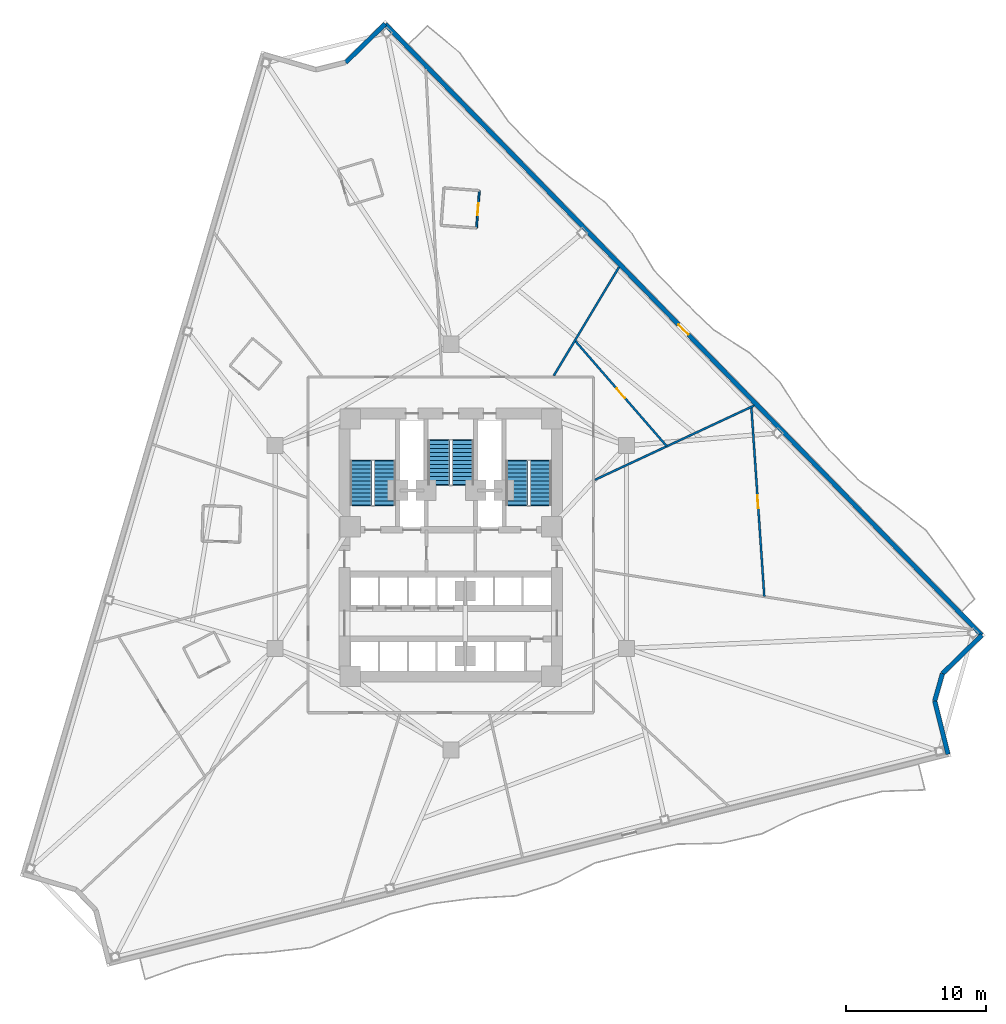
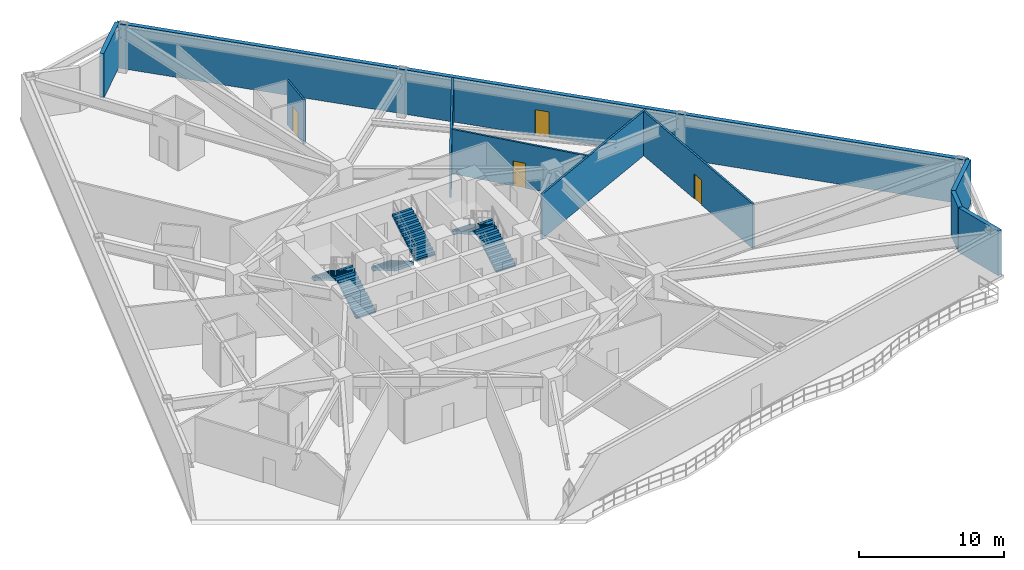
# One storey, part 6 of 9: 10 walls, 6 stair flights, 4 doors, 4 openings, 3 elements without a shape of their own.
"""IFC4 building model written with IfcOpenShell, lengths in metres."""

from ifc_helpers import new_model, si_unit, direction, frame, frame_2d, origin, place, context, subcontext, project, spatial, polyline, rectangle, outline, extrude, material, layer, layer_set, type_object, element, fill, aggregate, save


model = new_model("IFC4")

# Units and contexts
model_context = context("Model", 3, precision=1e-05, world=origin(), true_north=direction((0.0, 1.0)))
body_context = subcontext(model_context, "Body", "Model", "MODEL_VIEW")
ifc_project = project(units=[si_unit("LENGTHUNIT", "METRE"), si_unit("AREAUNIT", "SQUARE_METRE"), si_unit("VOLUMEUNIT", "CUBIC_METRE"), si_unit("PLANEANGLEUNIT", "RADIAN"), si_unit("MASSUNIT", "GRAM", prefix="KILO")], contexts=[model_context])

# Site, building, storey
site_placement = place(None, origin())
site = spatial("IfcSite", under=ifc_project, at=site_placement, CompositionType="ELEMENT")
building_placement = place(site_placement, origin())
building = spatial("IfcBuilding", under=site, at=building_placement, Name="Apsidion Concourse Tower", CompositionType="ELEMENT")
storey_placement = place(building_placement, frame((0.0, 0.0, 111.0)))
storey = spatial("IfcBuildingStorey", under=building, at=storey_placement, Name="L25", CompositionType="ELEMENT", Elevation=111.0)

# Wall, opening, door
ifc_material_1 = material(Name="Precast concrete C40/50", Category="concrete")
ifc_layer_1 = layer(ifc_material_1, 0.320068359375)
ifc_layer_set_1 = layer_set([ifc_layer_1], Name="Precast concrete C40/50")
wall_type_1 = type_object("IfcWallType", Name="WL-EXT-320", PredefinedType="STANDARD", material=ifc_layer_set_1)
wall_1_placement = place(storey_placement, frame((-4.6982421875, 37.40185546875, 0.0), z_axis=(0.0, 0.0, 1.0), x_axis=(0.698490621109, -0.715619208954, 0.0)))
wall_1 = element("IfcWall", 1, at=wall_1_placement, inside=storey, type_object=wall_type_1, Name="L25 Precast Stone Facade Wall 01", PredefinedType="STANDARD", context=body_context, shape_type="SweptSolid", body=[
    extrude(rectangle(XDim=61.075927734375, YDim=0.320068359375, at=frame_2d((30.5380859375, 0.0))), origin(), (0.0, 0.0, 1.0), 3.75),
])
opening_1_placement = place(wall_1_placement, frame((30.037841796875, 0.0, 0.0)))
opening_1 = element("IfcOpeningElement", 2, at=opening_1_placement, cuts=wall_1, Name="Opening D-T1L", PredefinedType="OPENING", context=body_context, shape_type="SweptSolid", body=[
    extrude(rectangle(XDim=1.0, YDim=2.14990234375, at=frame_2d((0.5, 1.074951171875))), frame((0.0, 0.169921875, 0.0), z_axis=(0.0, -1.0, 0.0), x_axis=(1.0, 0.0, 0.0)), (0.0, 0.0, 1.0), 0.340087890625),
])
ifc_material_2 = material(Name="Anodised aluminium EN AW-6063 T6", Category="aluminium")
door_type_1 = type_object("IfcDoorType", Name="DR-TER-1022L", OperationType="SINGLE_SWING_LEFT", PredefinedType="DOOR", material=ifc_material_2)
door_1_placement = place(opening_1_placement, origin())
door_1 = element("IfcDoor", 3, at=door_1_placement, inside=storey, type_object=door_type_1, Name="L25 Balcony Access Door 2", OperationType="SINGLE_SWING_LEFT", OverallHeight=2.14990234375, OverallWidth=1.0, PredefinedType="DOOR", context=body_context, shape_type="SweptSolid", body=[
    extrude(rectangle(XDim=1.0, YDim=2.14990234375, at=frame_2d((0.5, 1.074951171875))), frame((0.0, 0.02490234375, 0.0), z_axis=(0.0, -1.0, 0.0), x_axis=(1.0, 0.0, 0.0)), (0.0, 0.0, 1.0), 0.050048828125),
])
fill(opening_1, door_1)

# Walls
wall_2_placement = place(storey_placement, frame((37.962646484375, -6.30517578125, 0.0), z_axis=(0.0, 0.0, 1.0), x_axis=(-0.71562223009, -0.698487525873, 0.0)))
element("IfcWall", 4, at=wall_2_placement, inside=storey, type_object=wall_type_1, Name="L25 Precast Stone Facade Wall 02", PredefinedType="STANDARD", context=body_context, shape_type="SweptSolid", body=[
    extrude(rectangle(XDim=3.9326171875, YDim=0.320068359375, at=frame_2d((1.96630859375, 0.0))), origin(), (0.0, 0.0, 1.0), 3.75),
])
wall_3_placement = place(storey_placement, frame((35.1484375, -9.052001953125, 0.0), z_axis=(0.0, 0.0, 1.0), x_axis=(-0.27306692697, -0.961995038134, 0.0)))
element("IfcWall", 5, at=wall_3_placement, inside=storey, type_object=wall_type_1, Name="L25 Precast Stone Facade Wall 03", PredefinedType="STANDARD", context=body_context, shape_type="SweptSolid", body=[
    extrude(rectangle(XDim=2.02783203125, YDim=0.320068359375, at=frame_2d((1.013916015625, 0.0))), origin(), (0.0, 0.0, 1.0), 3.75),
])
wall_4_placement = place(storey_placement, frame((34.5947265625, -11.002685546875, 0.0), z_axis=(0.0, 0.0, 1.0), x_axis=(0.241936662418, -0.970292044375, 0.0)))
element("IfcWall", 6, at=wall_4_placement, inside=storey, type_object=wall_type_1, Name="L25 Precast Stone Facade Wall 04", PredefinedType="STANDARD", context=body_context, shape_type="SweptSolid", body=[
    extrude(rectangle(XDim=3.9326171875, YDim=0.320068359375, at=frame_2d((1.96630859375, 0.0))), origin(), (0.0, 0.0, 1.0), 3.75),
])
wall_5_placement = place(storey_placement, frame((-7.51318359375, 34.654296875, 0.0), z_axis=(0.0, 0.0, 1.0), x_axis=(0.715620001602, 0.698489809022, 0.0)))
element("IfcWall", 7, at=wall_5_placement, inside=storey, type_object=wall_type_1, Name="L25 Precast Stone Facade Wall 12", PredefinedType="STANDARD", context=body_context, shape_type="SweptSolid", body=[
    extrude(rectangle(XDim=3.93359375, YDim=0.320068359375, at=frame_2d((1.966796875, 0.0))), origin(), (0.0, 0.0, 1.0), 3.75),
])

# Wall, opening, door
ifc_material_3 = material(Name="Gypsum plasterboard partition")
ifc_layer_2 = layer(ifc_material_3, 0.139892578125)
ifc_layer_set_2 = layer_set([ifc_layer_2], Name="Gypsum plasterboard partition")
wall_type_2 = type_object("IfcWallType", Name="WL-INT-PAR-140", PredefinedType="PARTITIONING", material=ifc_layer_set_2)
wall_6_placement = place(storey_placement, frame((1.834228515625, 22.806396484375, 0.0), z_axis=(0.0, 0.0, 1.0), x_axis=(0.076696498885, 0.997054485502, 0.0)))
wall_6 = element("IfcWall", 8, at=wall_6_placement, inside=storey, type_object=wall_type_2, Name="L25 Interior Partition WL-L25-POD-ENS07-S1", PredefinedType="PARTITIONING", context=body_context, shape_type="SweptSolid", body=[
    extrude(rectangle(XDim=2.689697265625, YDim=0.139892578125, at=frame_2d((1.3447265625, 0.0))), origin(), (0.0, 0.0, 1.0), 3.75),
])
opening_2_placement = place(wall_6_placement, frame((0.905029296875, 0.0, 0.0)))
opening_2 = element("IfcOpeningElement", 9, at=opening_2_placement, cuts=wall_6, Name="Opening D-03R", PredefinedType="OPENING", context=body_context, shape_type="SweptSolid", body=[
    extrude(rectangle(XDim=0.8798828125, YDim=2.10009765625, at=frame_2d((0.43994140625, 1.050048828125))), frame((0.0, 0.080078125, 0.0), z_axis=(0.0, -1.0, 0.0), x_axis=(1.0, 0.0, 0.0)), (0.0, 0.0, 1.0), 0.159912109375),
])
door_type_2 = type_object("IfcDoorType", Name="DR-INT-D03R", OperationType="SINGLE_SWING_RIGHT", PredefinedType="DOOR", material=ifc_material_2)
door_2_placement = place(opening_2_placement, origin())
door_2 = element("IfcDoor", 10, at=door_2_placement, inside=storey, type_object=door_type_2, Name="L25 Guest En-Suite Bathroom Door ENS07", OperationType="SINGLE_SWING_RIGHT", OverallHeight=2.10009765625, OverallWidth=0.8798828125, PredefinedType="DOOR", context=body_context, shape_type="SweptSolid", body=[
    extrude(rectangle(XDim=0.8798828125, YDim=2.10009765625, at=frame_2d((0.43994140625, 1.050048828125))), frame((0.0, 0.02490234375, 0.0), z_axis=(0.0, -1.0, 0.0), x_axis=(1.0, 0.0, 0.0)), (0.0, 0.0, 1.0), 0.050048828125),
])
fill(opening_2, door_2)

# Walls
ifc_layer_3 = layer(ifc_material_3, 0.14990234375)
ifc_layer_set_3 = layer_set([ifc_layer_3], Name="Gypsum plasterboard partition")
wall_type_3 = type_object("IfcWallType", Name="WL-INT-PAR-150", PredefinedType="PARTITIONING", material=ifc_layer_set_3)
wall_7_placement = place(storey_placement, frame((10.304931640625, 4.805419921875, 0.0), z_axis=(0.0, 0.0, 1.0), x_axis=(0.906312673918, 0.422607781631, 0.0)))
element("IfcWall", 11, at=wall_7_placement, inside=storey, type_object=wall_type_3, Name="L25 Interior Partition WL-L25-RAD-01-1", PredefinedType="PARTITIONING", context=body_context, shape_type="SweptSolid", body=[
    extrude(rectangle(XDim=12.563232421875, YDim=0.14990234375, at=frame_2d((6.28173828125, 0.0))), origin(), (0.0, 0.0, 1.0), 3.75),
])
wall_8_placement = place(storey_placement, frame((7.363525390625, 12.2548828125, 0.0), z_axis=(0.0, 0.0, 1.0), x_axis=(0.515030961147, 0.857171575042, 0.0)))
element("IfcWall", 12, at=wall_8_placement, inside=storey, type_object=wall_type_3, Name="L25 Interior Partition WL-L25-RAD-02-1", PredefinedType="PARTITIONING", context=body_context, shape_type="SweptSolid", body=[
    extrude(rectangle(XDim=9.054443359375, YDim=0.14990234375, at=frame_2d((4.52734375, 0.0))), origin(), (0.0, 0.0, 1.0), 3.75),
])

# Wall, opening, door
wall_9_placement = place(storey_placement, frame((22.41455078125, -3.52490234375, 0.0), z_axis=(0.0, 0.0, 1.0), x_axis=(-0.068270897284, 0.997666820429, 0.0)))
wall_9 = element("IfcWall", 13, at=wall_9_placement, inside=storey, type_object=wall_type_3, Name="L25 Interior Partition WL-L25-CHD-H8G05", PredefinedType="PARTITIONING", context=body_context, shape_type="SweptSolid", body=[
    extrude(rectangle(XDim=13.549560546875, YDim=0.14990234375, at=frame_2d((6.77490234375, 0.0))), origin(), (0.0, 0.0, 1.0), 3.75),
])
opening_3_placement = place(wall_9_placement, frame((6.32470703125, 0.0, 0.0)))
opening_3 = element("IfcOpeningElement", 14, at=opening_3_placement, cuts=wall_9, Name="Opening D-02R", PredefinedType="OPENING", context=body_context, shape_type="SweptSolid", body=[
    extrude(rectangle(XDim=0.89990234375, YDim=2.10009765625, at=frame_2d((0.449951171875, 1.050048828125))), frame((0.0, 0.0849609375, 0.0), z_axis=(0.0, -1.0, 0.0), x_axis=(1.0, 0.0, 0.0)), (0.0, 0.0, 1.0), 0.169921875),
])
door_type_3 = type_object("IfcDoorType", Name="DR-INT-D02R", OperationType="SINGLE_SWING_RIGHT", PredefinedType="DOOR", material=ifc_material_2)
door_3_placement = place(opening_3_placement, origin())
door_3 = element("IfcDoor", 15, at=door_3_placement, inside=storey, type_object=door_type_3, Name="L25 Suite Connecting Door H8G05", OperationType="SINGLE_SWING_RIGHT", OverallHeight=2.10009765625, OverallWidth=0.89990234375, PredefinedType="DOOR", context=body_context, shape_type="SweptSolid", body=[
    extrude(rectangle(XDim=0.89990234375, YDim=2.10009765625, at=frame_2d((0.449951171875, 1.050048828125))), frame((0.0, 0.02490234375, 0.0), z_axis=(0.0, -1.0, 0.0), x_axis=(1.0, 0.0, 0.0)), (0.0, 0.0, 1.0), 0.050048828125),
])
fill(opening_3, door_3)

wall_10_placement = place(storey_placement, frame((15.427734375, 7.2216796875, 0.0), z_axis=(0.0, 0.0, 1.0), x_axis=(-0.656028314667, 0.75473627868, 0.0)))
wall_10 = element("IfcWall", 16, at=wall_10_placement, inside=storey, type_object=wall_type_3, Name="L25 Interior Partition WL-L25-CHD-H8G06", PredefinedType="PARTITIONING", context=body_context, shape_type="SweptSolid", body=[
    extrude(rectangle(XDim=9.9677734375, YDim=0.14990234375, at=frame_2d((4.98388671875, 0.0))), origin(), (0.0, 0.0, 1.0), 3.75),
])
opening_4_placement = place(wall_10_placement, frame((4.533935546875, 0.0, 0.0)))
opening_4 = element("IfcOpeningElement", 17, at=opening_4_placement, cuts=wall_10, Name="Opening D-02L", PredefinedType="OPENING", context=body_context, shape_type="SweptSolid", body=[
    extrude(rectangle(XDim=0.89990234375, YDim=2.10009765625, at=frame_2d((0.449951171875, 1.050048828125))), frame((0.0, 0.0849609375, 0.0), z_axis=(0.0, -1.0, 0.0), x_axis=(1.0, 0.0, 0.0)), (0.0, 0.0, 1.0), 0.169921875),
])
door_type_4 = type_object("IfcDoorType", Name="DR-INT-D02L", OperationType="SINGLE_SWING_LEFT", PredefinedType="DOOR", material=ifc_material_2)
door_4_placement = place(opening_4_placement, origin())
door_4 = element("IfcDoor", 18, at=door_4_placement, inside=storey, type_object=door_type_4, Name="L25 Suite Connecting Door H8G06", OperationType="SINGLE_SWING_LEFT", OverallHeight=2.10009765625, OverallWidth=0.89990234375, PredefinedType="DOOR", context=body_context, shape_type="SweptSolid", body=[
    extrude(rectangle(XDim=0.89990234375, YDim=2.10009765625, at=frame_2d((0.449951171875, 1.050048828125))), frame((0.0, 0.02490234375, 0.0), z_axis=(0.0, -1.0, 0.0), x_axis=(1.0, 0.0, 0.0)), (0.0, 0.0, 1.0), 0.050048828125),
])
fill(opening_4, door_4)

# Stair, stair flights
stair_type = type_object("IfcStairType", Name="ST-DL-1550", PredefinedType="HALF_TURN_STAIR", material=ifc_material_1)
stair_1_placement = place(storey_placement, origin())
stair_1 = element("IfcStair", 19, at=stair_1_placement, inside=storey, type_object=stair_type, Name="L25 Protected Core Exit Stair ST1", PredefinedType="HALF_TURN_STAIR")
stair_flight_type = type_object("IfcStairFlightType", Name="SFL-RC-1550", PredefinedType="STRAIGHT", material=ifc_material_1)
stair_flight_1_placement = place(storey_placement, frame((-4.72509765625, 3.0, 0.0), z_axis=(0.0, 0.0, 1.0), x_axis=(0.0, 1.0, 0.0)))
stair_flight_1 = element("IfcStairFlight", 20, at=stair_flight_1_placement, type_object=stair_flight_type, Name="ST1 flight 1", NumberOfRisers=12, NumberOfTreads=11, PredefinedType="STRAIGHT", RiserHeight=0.166666667, TreadLength=0.285, context=body_context, shape_type="SweptSolid", body=[
    extrude(outline(polyline([(-0.080078125, -0.1123046875), (-0.080078125, 0.0), (0.0, 0.0), (0.0, 0.166748046875), (0.284912109375, 0.166748046875), (0.284912109375, 0.333251953125), (0.570068359375, 0.333251953125), (0.570068359375, 0.5), (0.85498046875, 0.5), (0.85498046875, 0.666748046875), (1.139892578125, 0.666748046875), (1.139892578125, 0.833251953125), (1.425048828125, 0.833251953125), (1.425048828125, 1.0), (1.7099609375, 1.0), (1.7099609375, 1.166748046875), (1.9951171875, 1.166748046875), (1.9951171875, 1.333251953125), (2.280029296875, 1.333251953125), (2.280029296875, 1.5), (2.56494140625, 1.5), (2.56494140625, 1.666748046875), (2.85009765625, 1.666748046875), (2.85009765625, 1.833251953125), (3.135009765625, 1.833251953125), (3.135009765625, 2.0), (3.215087890625, 1.916748046875), (3.215087890625, 1.65966796875), (3.135009765625, 1.65966796875), (0.296875, 0.0), (0.296875, -0.1123046875), (-0.080078125, -0.1123046875)])), frame((0.0, 0.77490234375, 0.0), z_axis=(0.0, -1.0, 0.0), x_axis=(1.0, 0.0, 0.0)), (0.0, 0.0, 1.0), 1.550048828125),
])
stair_flight_2_placement = place(storey_placement, frame((-6.425048828125, 6.135009765625, 2.0), z_axis=(0.0, 0.0, 1.0), x_axis=(0.0, -1.0, 0.0)))
stair_flight_2 = element("IfcStairFlight", 21, at=stair_flight_2_placement, type_object=stair_flight_type, Name="ST1 flight 2", NumberOfRisers=12, NumberOfTreads=11, PredefinedType="STRAIGHT", RiserHeight=0.166666667, TreadLength=0.285, context=body_context, shape_type="SweptSolid", body=[
    extrude(outline(polyline([(-0.080078125, -0.1123046875), (-0.080078125, 0.0), (0.0, 0.0), (0.0, 0.166748046875), (0.284912109375, 0.166748046875), (0.284912109375, 0.333251953125), (0.570068359375, 0.333251953125), (0.570068359375, 0.5), (0.85498046875, 0.5), (0.85498046875, 0.666748046875), (1.139892578125, 0.666748046875), (1.139892578125, 0.833251953125), (1.425048828125, 0.833251953125), (1.425048828125, 1.0), (1.7099609375, 1.0), (1.7099609375, 1.166748046875), (1.9951171875, 1.166748046875), (1.9951171875, 1.333251953125), (2.280029296875, 1.333251953125), (2.280029296875, 1.5), (2.56494140625, 1.5), (2.56494140625, 1.666748046875), (2.85009765625, 1.666748046875), (2.85009765625, 1.833251953125), (3.135009765625, 1.833251953125), (3.135009765625, 2.0), (3.215087890625, 1.916748046875), (3.215087890625, 1.65966796875), (3.135009765625, 1.65966796875), (0.296875, 0.0), (0.296875, -0.1123046875), (-0.080078125, -0.1123046875)])), frame((0.0, 0.77490234375, 0.0), z_axis=(0.0, -1.0, 0.0), x_axis=(1.0, 0.0, 0.0)), (0.0, 0.0, 1.0), 1.550048828125),
])
aggregate(stair_1, [stair_flight_1, stair_flight_2])

stair_2_placement = place(storey_placement, origin())
stair_2 = element("IfcStair", 22, at=stair_2_placement, inside=storey, type_object=stair_type, Name="L25 Protected Core Exit Stair ST2", PredefinedType="HALF_TURN_STAIR")
stair_flight_3_placement = place(storey_placement, frame((6.425048828125, 3.0, 0.0), z_axis=(0.0, 0.0, 1.0), x_axis=(0.0, 1.0, 0.0)))
stair_flight_3 = element("IfcStairFlight", 23, at=stair_flight_3_placement, type_object=stair_flight_type, Name="ST2 flight 1", NumberOfRisers=12, NumberOfTreads=11, PredefinedType="STRAIGHT", RiserHeight=0.166666667, TreadLength=0.285, context=body_context, shape_type="SweptSolid", body=[
    extrude(outline(polyline([(-0.080078125, -0.1123046875), (-0.080078125, 0.0), (0.0, 0.0), (0.0, 0.166748046875), (0.284912109375, 0.166748046875), (0.284912109375, 0.333251953125), (0.570068359375, 0.333251953125), (0.570068359375, 0.5), (0.85498046875, 0.5), (0.85498046875, 0.666748046875), (1.139892578125, 0.666748046875), (1.139892578125, 0.833251953125), (1.425048828125, 0.833251953125), (1.425048828125, 1.0), (1.7099609375, 1.0), (1.7099609375, 1.166748046875), (1.9951171875, 1.166748046875), (1.9951171875, 1.333251953125), (2.280029296875, 1.333251953125), (2.280029296875, 1.5), (2.56494140625, 1.5), (2.56494140625, 1.666748046875), (2.85009765625, 1.666748046875), (2.85009765625, 1.833251953125), (3.135009765625, 1.833251953125), (3.135009765625, 2.0), (3.215087890625, 1.916748046875), (3.215087890625, 1.65966796875), (3.135009765625, 1.65966796875), (0.296875, 0.0), (0.296875, -0.1123046875), (-0.080078125, -0.1123046875)])), frame((0.0, 0.77490234375, 0.0), z_axis=(0.0, -1.0, 0.0), x_axis=(1.0, 0.0, 0.0)), (0.0, 0.0, 1.0), 1.550048828125),
])
stair_flight_4_placement = place(storey_placement, frame((4.72509765625, 6.135009765625, 2.0), z_axis=(0.0, 0.0, 1.0), x_axis=(0.0, -1.0, 0.0)))
stair_flight_4 = element("IfcStairFlight", 24, at=stair_flight_4_placement, type_object=stair_flight_type, Name="ST2 flight 2", NumberOfRisers=12, NumberOfTreads=11, PredefinedType="STRAIGHT", RiserHeight=0.166666667, TreadLength=0.285, context=body_context, shape_type="SweptSolid", body=[
    extrude(outline(polyline([(-0.080078125, -0.1123046875), (-0.080078125, 0.0), (0.0, 0.0), (0.0, 0.166748046875), (0.284912109375, 0.166748046875), (0.284912109375, 0.333251953125), (0.570068359375, 0.333251953125), (0.570068359375, 0.5), (0.85498046875, 0.5), (0.85498046875, 0.666748046875), (1.139892578125, 0.666748046875), (1.139892578125, 0.833251953125), (1.425048828125, 0.833251953125), (1.425048828125, 1.0), (1.7099609375, 1.0), (1.7099609375, 1.166748046875), (1.9951171875, 1.166748046875), (1.9951171875, 1.333251953125), (2.280029296875, 1.333251953125), (2.280029296875, 1.5), (2.56494140625, 1.5), (2.56494140625, 1.666748046875), (2.85009765625, 1.666748046875), (2.85009765625, 1.833251953125), (3.135009765625, 1.833251953125), (3.135009765625, 2.0), (3.215087890625, 1.916748046875), (3.215087890625, 1.65966796875), (3.135009765625, 1.65966796875), (0.296875, 0.0), (0.296875, -0.1123046875), (-0.080078125, -0.1123046875)])), frame((0.0, 0.77490234375, 0.0), z_axis=(0.0, -1.0, 0.0), x_axis=(1.0, 0.0, 0.0)), (0.0, 0.0, 1.0), 1.550048828125),
])
aggregate(stair_2, [stair_flight_3, stair_flight_4])

stair_3_placement = place(storey_placement, origin())
stair_3 = element("IfcStair", 25, at=stair_3_placement, inside=storey, type_object=stair_type, Name="L25 Protected Core Exit Stair ST3", PredefinedType="HALF_TURN_STAIR")
stair_flight_5_placement = place(storey_placement, frame((-0.85009765625, 7.60009765625, 0.0), z_axis=(0.0, 0.0, 1.0), x_axis=(0.0, -1.0, 0.0)))
stair_flight_5 = element("IfcStairFlight", 26, at=stair_flight_5_placement, type_object=stair_flight_type, Name="ST3 flight 1", NumberOfRisers=12, NumberOfTreads=11, PredefinedType="STRAIGHT", RiserHeight=0.166666667, TreadLength=0.285, context=body_context, shape_type="SweptSolid", body=[
    extrude(outline(polyline([(-0.080078125, -0.1123046875), (-0.080078125, 0.0), (0.0, 0.0), (0.0, 0.166748046875), (0.284912109375, 0.166748046875), (0.284912109375, 0.333251953125), (0.570068359375, 0.333251953125), (0.570068359375, 0.5), (0.85498046875, 0.5), (0.85498046875, 0.666748046875), (1.139892578125, 0.666748046875), (1.139892578125, 0.833251953125), (1.425048828125, 0.833251953125), (1.425048828125, 1.0), (1.7099609375, 1.0), (1.7099609375, 1.166748046875), (1.9951171875, 1.166748046875), (1.9951171875, 1.333251953125), (2.280029296875, 1.333251953125), (2.280029296875, 1.5), (2.56494140625, 1.5), (2.56494140625, 1.666748046875), (2.85009765625, 1.666748046875), (2.85009765625, 1.833251953125), (3.135009765625, 1.833251953125), (3.135009765625, 2.0), (3.215087890625, 1.916748046875), (3.215087890625, 1.65966796875), (3.135009765625, 1.65966796875), (0.296875, 0.0), (0.296875, -0.1123046875), (-0.080078125, -0.1123046875)])), frame((0.0, 0.77490234375, 0.0), z_axis=(0.0, -1.0, 0.0), x_axis=(1.0, 0.0, 0.0)), (0.0, 0.0, 1.0), 1.550048828125),
])
stair_flight_6_placement = place(storey_placement, frame((0.85009765625, 4.465087890625, 2.0), z_axis=(0.0, 0.0, 1.0), x_axis=(0.0, 1.0, 0.0)))
stair_flight_6 = element("IfcStairFlight", 27, at=stair_flight_6_placement, type_object=stair_flight_type, Name="ST3 flight 2", NumberOfRisers=12, NumberOfTreads=11, PredefinedType="STRAIGHT", RiserHeight=0.166666667, TreadLength=0.285, context=body_context, shape_type="SweptSolid", body=[
    extrude(outline(polyline([(-0.080078125, -0.1123046875), (-0.080078125, 0.0), (0.0, 0.0), (0.0, 0.166748046875), (0.284912109375, 0.166748046875), (0.284912109375, 0.333251953125), (0.570068359375, 0.333251953125), (0.570068359375, 0.5), (0.85498046875, 0.5), (0.85498046875, 0.666748046875), (1.139892578125, 0.666748046875), (1.139892578125, 0.833251953125), (1.425048828125, 0.833251953125), (1.425048828125, 1.0), (1.7099609375, 1.0), (1.7099609375, 1.166748046875), (1.9951171875, 1.166748046875), (1.9951171875, 1.333251953125), (2.280029296875, 1.333251953125), (2.280029296875, 1.5), (2.56494140625, 1.5), (2.56494140625, 1.666748046875), (2.85009765625, 1.666748046875), (2.85009765625, 1.833251953125), (3.135009765625, 1.833251953125), (3.135009765625, 2.0), (3.215087890625, 1.916748046875), (3.215087890625, 1.65966796875), (3.135009765625, 1.65966796875), (0.296875, 0.0), (0.296875, -0.1123046875), (-0.080078125, -0.1123046875)])), frame((0.0, 0.77490234375, 0.0), z_axis=(0.0, -1.0, 0.0), x_axis=(1.0, 0.0, 0.0)), (0.0, 0.0, 1.0), 1.550048828125),
])
aggregate(stair_3, [stair_flight_5, stair_flight_6])

save(model, "model.ifc")
